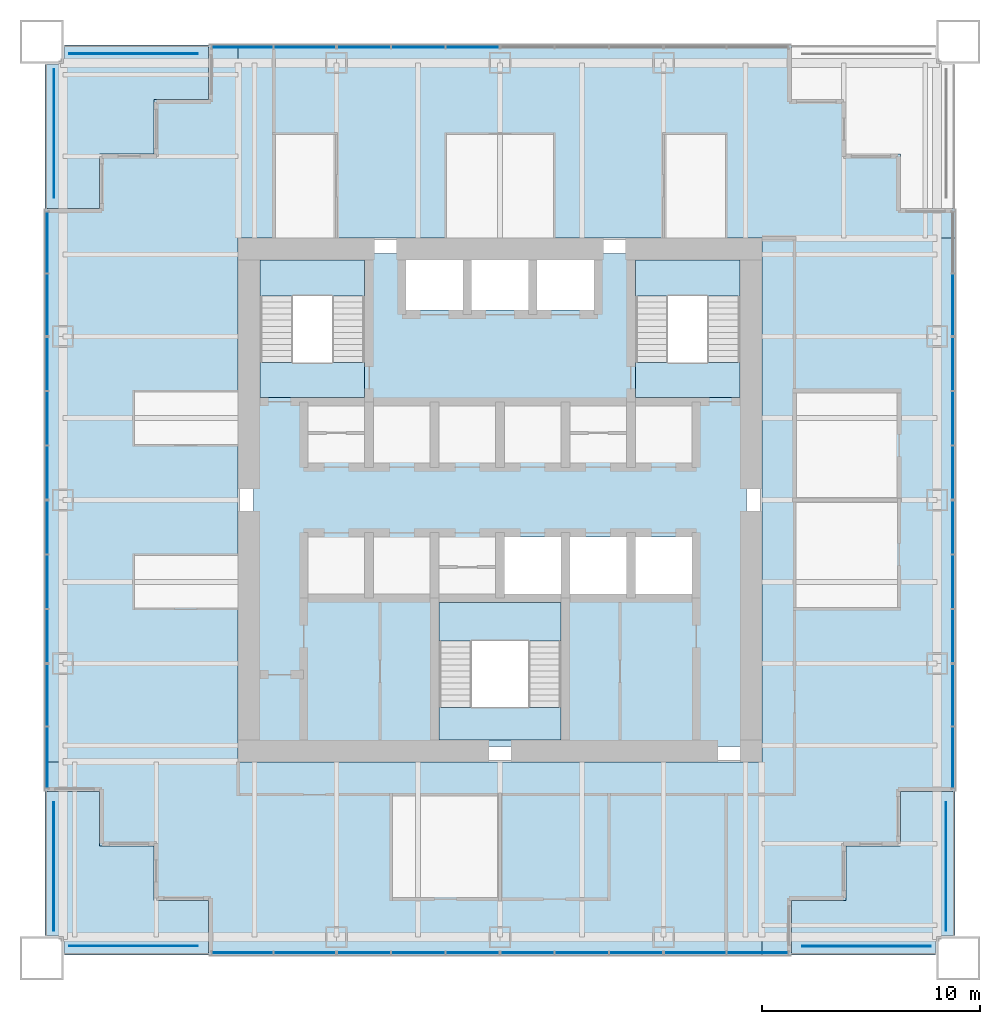
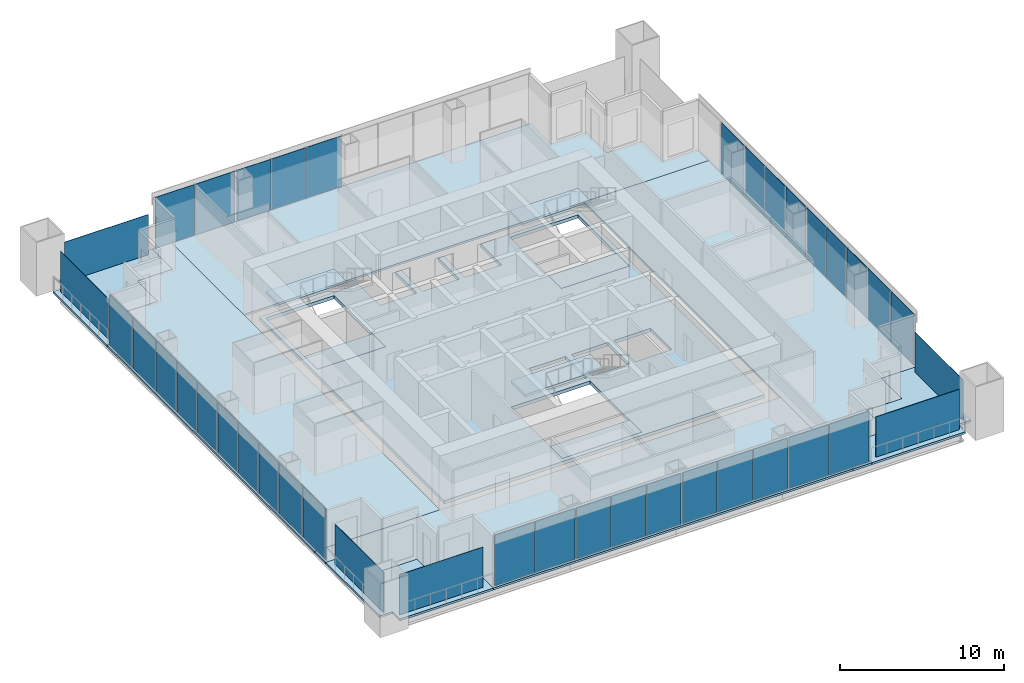
# One storey, part 8 of 14: 40 plates, 14 slabs, 17 elements without a shape of their own.
"""IFC4 building model written with IfcOpenShell, lengths in metres."""

from ifc_helpers import new_model, si_unit, direction, frame, origin, origin_2d, place, context, subcontext, project, spatial, polyline, rectangle, outline, extrude, material, layer, layer_set, type_object, element, aggregate, save


model = new_model("IFC4")

# Units and contexts
model_context = context("Model", 3, precision=1e-05, world=origin(), true_north=direction((0.0, 1.0)))
body_context = subcontext(model_context, "Body", "Model", "MODEL_VIEW")
ifc_project = project(units=[si_unit("LENGTHUNIT", "METRE"), si_unit("AREAUNIT", "SQUARE_METRE"), si_unit("VOLUMEUNIT", "CUBIC_METRE"), si_unit("PLANEANGLEUNIT", "RADIAN"), si_unit("MASSUNIT", "GRAM", prefix="KILO")], contexts=[model_context])

# Site, building, storey
site_placement = place(None, origin())
site = spatial("IfcSite", under=ifc_project, at=site_placement, CompositionType="ELEMENT")
building_placement = place(site_placement, origin())
building = spatial("IfcBuilding", under=site, at=building_placement, Name="Tarangal Relay Tower", CompositionType="ELEMENT")
storey_placement = place(building_placement, frame((0.0, 0.0, 291.89990234375)))
storey = spatial("IfcBuildingStorey", under=building, at=storey_placement, Name="L64", CompositionType="ELEMENT", Elevation=291.89990234375)

# Slabs
ifc_material_1 = material(Name="Concrete fc' 35 MPa", Category="concrete")
ifc_layer_1 = layer(ifc_material_1, 0.25)
ifc_layer_set_1 = layer_set([ifc_layer_1], Name="Core floor slab 250")
slab_type_1 = type_object("IfcSlabType", Name="Core floor slab 250", PredefinedType="FLOOR", material=ifc_layer_set_1)
slab_1_placement = place(storey_placement, frame((0.0, 0.0, -0.25)))
element("IfcSlab", 1, at=slab_1_placement, inside=storey, type_object=slab_type_1, Name="Core floor slab L64", PredefinedType="FLOOR", context=body_context, shape_type="SweptSolid", body=[
    extrude(outline(polyline([(11.300048828125, 11.300048828125), (11.300048828125, -11.300048828125), (-11.300048828125, -11.300048828125), (-11.300048828125, 11.300048828125), (-4.300048828125, 11.300048828125), (-4.300048828125, 8.699951171875), (-1.699951171875, 8.699951171875), (-1.699951171875, 11.300048828125), (-1.300048828125, 11.300048828125), (-1.300048828125, 8.699951171875), (1.300048828125, 8.699951171875), (1.300048828125, 11.300048828125), (1.699951171875, 11.300048828125), (1.699951171875, 8.699951171875), (4.300048828125, 8.699951171875), (4.300048828125, 11.300048828125), (11.300048828125, 11.300048828125)]), holes=[polyline([(2.800048828125, -4.699951171875), (-2.800048828125, -4.699951171875), (-2.800048828125, -11.0), (2.800048828125, -11.0), (2.800048828125, -4.699951171875)]), polyline([(2.800048828125, -1.699951171875), (0.199951171875, -1.699951171875), (0.199951171875, -4.300048828125), (2.800048828125, -4.300048828125), (2.800048828125, -1.699951171875)]), polyline([(5.800048828125, -1.699951171875), (3.199951171875, -1.699951171875), (3.199951171875, -4.300048828125), (5.800048828125, -4.300048828125), (5.800048828125, -1.699951171875)]), polyline([(8.800048828125, -1.699951171875), (6.199951171875, -1.699951171875), (6.199951171875, -4.300048828125), (8.800048828125, -4.300048828125), (8.800048828125, -1.699951171875)]), polyline([(-6.199951171875, 11.0), (-11.0, 11.0), (-11.0, 4.699951171875), (-6.199951171875, 4.699951171875), (-6.199951171875, 11.0)]), polyline([(11.0, 11.0), (6.199951171875, 11.0), (6.199951171875, 4.699951171875), (11.0, 4.699951171875), (11.0, 11.0)])]), origin(), (0.0, 0.0, 1.0), 0.25),
])
ifc_layer_2 = layer(ifc_material_1, 0.14990234375)
ifc_layer_set_2 = layer_set([ifc_layer_2], Name="Floor slab 150")
slab_type_2 = type_object("IfcSlabType", Name="Floor slab 150", PredefinedType="FLOOR", material=ifc_layer_set_2)
slab_2_placement = place(storey_placement, frame((0.0, 0.0, -0.14990234375)))
element("IfcSlab", 2, at=slab_2_placement, inside=storey, type_object=slab_type_2, Name="Floor slab FS3 L64 north bay", PredefinedType="FLOOR", context=body_context, shape_type="SweptSolid", body=[
    extrude(outline(polyline([(13.35009765625, 20.85009765625), (13.35009765625, 18.35009765625), (15.85009765625, 18.35009765625), (15.85009765625, 15.85009765625), (18.35009765625, 15.85009765625), (18.35009765625, 13.35009765625), (20.85009765625, 13.35009765625), (20.85009765625, 12.0), (-12.0, 12.0), (-12.0, 20.85009765625), (13.35009765625, 20.85009765625)])), origin(), (0.0, 0.0, 1.0), 0.14990234375),
])
slab_3_placement = place(storey_placement, frame((0.0, 0.0, -0.14990234375)))
element("IfcSlab", 3, at=slab_3_placement, inside=storey, type_object=slab_type_2, Name="Floor slab FS3 L64 east bay", PredefinedType="FLOOR", context=body_context, shape_type="SweptSolid", body=[
    extrude(outline(polyline([(20.85009765625, -13.35009765625), (18.35009765625, -13.35009765625), (18.35009765625, -15.85009765625), (15.85009765625, -15.85009765625), (15.85009765625, -18.35009765625), (13.35009765625, -18.35009765625), (13.35009765625, -20.85009765625), (12.0, -20.85009765625), (12.0, 12.0), (20.85009765625, 12.0), (20.85009765625, -13.35009765625)])), origin(), (0.0, 0.0, 1.0), 0.14990234375),
])
slab_4_placement = place(storey_placement, frame((0.0, 0.0, -0.14990234375)))
element("IfcSlab", 4, at=slab_4_placement, inside=storey, type_object=slab_type_2, Name="Floor slab FS3 L64 south bay", PredefinedType="FLOOR", context=body_context, shape_type="SweptSolid", body=[
    extrude(outline(polyline([(-13.35009765625, -20.85009765625), (-13.35009765625, -18.35009765625), (-15.85009765625, -18.35009765625), (-15.85009765625, -15.85009765625), (-18.35009765625, -15.85009765625), (-18.35009765625, -13.35009765625), (-20.85009765625, -13.35009765625), (-20.85009765625, -12.0), (12.0, -12.0), (12.0, -20.85009765625), (-13.35009765625, -20.85009765625)])), origin(), (0.0, 0.0, 1.0), 0.14990234375),
])
slab_5_placement = place(storey_placement, frame((0.0, 0.0, -0.14990234375)))
element("IfcSlab", 5, at=slab_5_placement, inside=storey, type_object=slab_type_2, Name="Floor slab FS3 L64 west bay", PredefinedType="FLOOR", context=body_context, shape_type="SweptSolid", body=[
    extrude(outline(polyline([(-12.0, 20.85009765625), (-12.0, -12.0), (-20.85009765625, -12.0), (-20.85009765625, 13.35009765625), (-18.35009765625, 13.35009765625), (-18.35009765625, 15.85009765625), (-15.85009765625, 15.85009765625), (-15.85009765625, 18.35009765625), (-13.35009765625, 18.35009765625), (-13.35009765625, 20.85009765625), (-12.0, 20.85009765625)])), origin(), (0.0, 0.0, 1.0), 0.14990234375),
])

# Curtain wall, plates
ifc_material_2 = material(Name="Unitised curtain wall, dark glass and black aluminium", Category="aluminium")
curtain_wall_type = type_object("IfcCurtainWallType", Name="Curtain wall CW-B", PredefinedType="USERDEFINED", material=ifc_material_2)
curtain_wall_1_placement = place(storey_placement, origin())
curtain_wall_1 = element("IfcCurtainWall", 6, at=curtain_wall_1_placement, inside=storey, type_object=curtain_wall_type, Name="Curtain wall CW-B N facade L64", ObjectType="UNITISED CURTAIN WALL", PredefinedType="USERDEFINED")
ifc_material_3 = material(Name="Dark tinted insulated glass unit", Category="glass")
ifc_layer_3 = layer(ifc_material_3, 0.030029296875)
ifc_layer_set_3 = layer_set([ifc_layer_3], Name="Glazed panel CW-B 30")
plate_type_1 = type_object("IfcPlateType", Name="Glazed panel CW-B 30", PredefinedType="CURTAIN_PANEL", material=ifc_layer_set_3)
plate_1_placement = place(storey_placement, frame((-11.797607421875, 20.75, 0.06005859375), z_axis=(0.0, 0.0, 1.0), x_axis=(1.0, 0.0, 0.0)))
plate_1 = element("IfcPlate", 7, at=plate_1_placement, type_object=plate_type_1, Name="CW-B panel 1.1", PredefinedType="CURTAIN_PANEL", context=body_context, shape_type="SweptSolid", body=[
    extrude(rectangle(XDim=2.784912109375, YDim=0.030029296875, at=origin_2d()), origin(), (0.0, 0.0, 1.0), 3.7900390625),
])
plate_2_placement = place(storey_placement, frame((-8.952392578125, 20.75, 0.06005859375), z_axis=(0.0, 0.0, 1.0), x_axis=(1.0, 0.0, 0.0)))
plate_2 = element("IfcPlate", 8, at=plate_2_placement, type_object=plate_type_1, Name="CW-B panel 2.1", PredefinedType="CURTAIN_PANEL", context=body_context, shape_type="SweptSolid", body=[
    extrude(rectangle(XDim=2.784912109375, YDim=0.030029296875, at=origin_2d()), origin(), (0.0, 0.0, 1.0), 3.7900390625),
])
aggregate(curtain_wall_1, [plate_1, plate_2])

curtain_wall_2_placement = place(storey_placement, origin())
curtain_wall_2 = element("IfcCurtainWall", 9, at=curtain_wall_2_placement, inside=storey, type_object=curtain_wall_type, Name="Curtain wall CW-B N facade L64", ObjectType="UNITISED CURTAIN WALL", PredefinedType="USERDEFINED")
plate_3_placement = place(storey_placement, frame((-6.235107421875, 20.75, 0.06005859375), z_axis=(0.0, 0.0, 1.0), x_axis=(1.0, 0.0, 0.0)))
plate_3 = element("IfcPlate", 10, at=plate_3_placement, type_object=plate_type_1, Name="CW-B panel 1.1", PredefinedType="CURTAIN_PANEL", context=body_context, shape_type="SweptSolid", body=[
    extrude(rectangle(XDim=2.409912109375, YDim=0.030029296875, at=origin_2d()), origin(), (0.0, 0.0, 1.0), 3.7900390625),
])
plate_4_placement = place(storey_placement, frame((-3.75, 20.75, 0.06005859375), z_axis=(0.0, 0.0, 1.0), x_axis=(1.0, 0.0, 0.0)))
plate_4 = element("IfcPlate", 11, at=plate_4_placement, type_object=plate_type_1, Name="CW-B panel 2.1", PredefinedType="CURTAIN_PANEL", context=body_context, shape_type="SweptSolid", body=[
    extrude(rectangle(XDim=2.43994140625, YDim=0.030029296875, at=origin_2d()), origin(), (0.0, 0.0, 1.0), 3.7900390625),
])
plate_5_placement = place(storey_placement, frame((-1.264892578125, 20.75, 0.06005859375), z_axis=(0.0, 0.0, 1.0), x_axis=(1.0, 0.0, 0.0)))
plate_5 = element("IfcPlate", 12, at=plate_5_placement, type_object=plate_type_1, Name="CW-B panel 3.1", PredefinedType="CURTAIN_PANEL", context=body_context, shape_type="SweptSolid", body=[
    extrude(rectangle(XDim=2.409912109375, YDim=0.030029296875, at=origin_2d()), origin(), (0.0, 0.0, 1.0), 3.7900390625),
])
aggregate(curtain_wall_2, [plate_3, plate_4, plate_5])

# Curtain wall, plate
curtain_wall_3_placement = place(storey_placement, origin())
curtain_wall_3 = element("IfcCurtainWall", 13, at=curtain_wall_3_placement, inside=storey, type_object=curtain_wall_type, Name="Curtain wall CW-B E facade L64", ObjectType="UNITISED CURTAIN WALL", PredefinedType="USERDEFINED")
plate_6_placement = place(storey_placement, frame((20.75, 8.952392578125, 0.06005859375), z_axis=(0.0, 0.0, 1.0), x_axis=(0.0, -1.0, 0.0)))
plate_6 = element("IfcPlate", 14, at=plate_6_placement, type_object=plate_type_1, Name="CW-B panel 2.1", PredefinedType="CURTAIN_PANEL", context=body_context, shape_type="SweptSolid", body=[
    extrude(rectangle(XDim=2.784912109375, YDim=0.030029296875, at=origin_2d()), origin(), (0.0, 0.0, 1.0), 3.7900390625),
])
aggregate(curtain_wall_3, [plate_6])

# Curtain wall, plates
curtain_wall_4_placement = place(storey_placement, origin())
curtain_wall_4 = element("IfcCurtainWall", 15, at=curtain_wall_4_placement, inside=storey, type_object=curtain_wall_type, Name="Curtain wall CW-B E facade L64", ObjectType="UNITISED CURTAIN WALL", PredefinedType="USERDEFINED")
plate_7_placement = place(storey_placement, frame((20.75, 6.235107421875, 0.06005859375), z_axis=(0.0, 0.0, 1.0), x_axis=(0.0, -1.0, 0.0)))
plate_7 = element("IfcPlate", 16, at=plate_7_placement, type_object=plate_type_1, Name="CW-B panel 1.1", PredefinedType="CURTAIN_PANEL", context=body_context, shape_type="SweptSolid", body=[
    extrude(rectangle(XDim=2.409912109375, YDim=0.030029296875, at=origin_2d()), origin(), (0.0, 0.0, 1.0), 3.7900390625),
])
plate_8_placement = place(storey_placement, frame((20.75, 3.75, 0.06005859375), z_axis=(0.0, 0.0, 1.0), x_axis=(0.0, -1.0, 0.0)))
plate_8 = element("IfcPlate", 17, at=plate_8_placement, type_object=plate_type_1, Name="CW-B panel 2.1", PredefinedType="CURTAIN_PANEL", context=body_context, shape_type="SweptSolid", body=[
    extrude(rectangle(XDim=2.43994140625, YDim=0.030029296875, at=origin_2d()), origin(), (0.0, 0.0, 1.0), 3.7900390625),
])
plate_9_placement = place(storey_placement, frame((20.75, 1.264892578125, 0.06005859375), z_axis=(0.0, 0.0, 1.0), x_axis=(0.0, -1.0, 0.0)))
plate_9 = element("IfcPlate", 18, at=plate_9_placement, type_object=plate_type_1, Name="CW-B panel 3.1", PredefinedType="CURTAIN_PANEL", context=body_context, shape_type="SweptSolid", body=[
    extrude(rectangle(XDim=2.409912109375, YDim=0.030029296875, at=origin_2d()), origin(), (0.0, 0.0, 1.0), 3.7900390625),
])
aggregate(curtain_wall_4, [plate_7, plate_8, plate_9])

curtain_wall_5_placement = place(storey_placement, origin())
curtain_wall_5 = element("IfcCurtainWall", 19, at=curtain_wall_5_placement, inside=storey, type_object=curtain_wall_type, Name="Curtain wall CW-B E facade L64", ObjectType="UNITISED CURTAIN WALL", PredefinedType="USERDEFINED")
plate_10_placement = place(storey_placement, frame((20.75, -1.264892578125, 0.06005859375), z_axis=(0.0, 0.0, 1.0), x_axis=(0.0, -1.0, 0.0)))
plate_10 = element("IfcPlate", 20, at=plate_10_placement, type_object=plate_type_1, Name="CW-B panel 1.1", PredefinedType="CURTAIN_PANEL", context=body_context, shape_type="SweptSolid", body=[
    extrude(rectangle(XDim=2.409912109375, YDim=0.030029296875, at=origin_2d()), origin(), (0.0, 0.0, 1.0), 3.7900390625),
])
plate_11_placement = place(storey_placement, frame((20.75, -3.75, 0.06005859375), z_axis=(0.0, 0.0, 1.0), x_axis=(0.0, -1.0, 0.0)))
plate_11 = element("IfcPlate", 21, at=plate_11_placement, type_object=plate_type_1, Name="CW-B panel 2.1", PredefinedType="CURTAIN_PANEL", context=body_context, shape_type="SweptSolid", body=[
    extrude(rectangle(XDim=2.43994140625, YDim=0.030029296875, at=origin_2d()), origin(), (0.0, 0.0, 1.0), 3.7900390625),
])
plate_12_placement = place(storey_placement, frame((20.75, -6.235107421875, 0.06005859375), z_axis=(0.0, 0.0, 1.0), x_axis=(0.0, -1.0, 0.0)))
plate_12 = element("IfcPlate", 22, at=plate_12_placement, type_object=plate_type_1, Name="CW-B panel 3.1", PredefinedType="CURTAIN_PANEL", context=body_context, shape_type="SweptSolid", body=[
    extrude(rectangle(XDim=2.409912109375, YDim=0.030029296875, at=origin_2d()), origin(), (0.0, 0.0, 1.0), 3.7900390625),
])
aggregate(curtain_wall_5, [plate_10, plate_11, plate_12])

curtain_wall_6_placement = place(storey_placement, origin())
curtain_wall_6 = element("IfcCurtainWall", 23, at=curtain_wall_6_placement, inside=storey, type_object=curtain_wall_type, Name="Curtain wall CW-B E facade L64", ObjectType="UNITISED CURTAIN WALL", PredefinedType="USERDEFINED")
plate_13_placement = place(storey_placement, frame((20.75, -8.952392578125, 0.06005859375), z_axis=(0.0, 0.0, 1.0), x_axis=(0.0, -1.0, 0.0)))
plate_13 = element("IfcPlate", 24, at=plate_13_placement, type_object=plate_type_1, Name="CW-B panel 1.1", PredefinedType="CURTAIN_PANEL", context=body_context, shape_type="SweptSolid", body=[
    extrude(rectangle(XDim=2.784912109375, YDim=0.030029296875, at=origin_2d()), origin(), (0.0, 0.0, 1.0), 3.7900390625),
])
plate_14_placement = place(storey_placement, frame((20.75, -11.797607421875, 0.06005859375), z_axis=(0.0, 0.0, 1.0), x_axis=(0.0, -1.0, 0.0)))
plate_14 = element("IfcPlate", 25, at=plate_14_placement, type_object=plate_type_1, Name="CW-B panel 2.1", PredefinedType="CURTAIN_PANEL", context=body_context, shape_type="SweptSolid", body=[
    extrude(rectangle(XDim=2.784912109375, YDim=0.030029296875, at=origin_2d()), origin(), (0.0, 0.0, 1.0), 3.7900390625),
])
aggregate(curtain_wall_6, [plate_13, plate_14])

curtain_wall_7_placement = place(storey_placement, origin())
curtain_wall_7 = element("IfcCurtainWall", 26, at=curtain_wall_7_placement, inside=storey, type_object=curtain_wall_type, Name="Curtain wall CW-B S facade L64", ObjectType="UNITISED CURTAIN WALL", PredefinedType="USERDEFINED")
plate_15_placement = place(storey_placement, frame((11.797607421875, -20.75, 0.06005859375), z_axis=(0.0, 0.0, 1.0), x_axis=(-1.0, 0.0, 0.0)))
plate_15 = element("IfcPlate", 27, at=plate_15_placement, type_object=plate_type_1, Name="CW-B panel 1.1", PredefinedType="CURTAIN_PANEL", context=body_context, shape_type="SweptSolid", body=[
    extrude(rectangle(XDim=2.784912109375, YDim=0.030029296875, at=origin_2d()), origin(), (0.0, 0.0, 1.0), 3.7900390625),
])
plate_16_placement = place(storey_placement, frame((8.952392578125, -20.75, 0.06005859375), z_axis=(0.0, 0.0, 1.0), x_axis=(-1.0, 0.0, 0.0)))
plate_16 = element("IfcPlate", 28, at=plate_16_placement, type_object=plate_type_1, Name="CW-B panel 2.1", PredefinedType="CURTAIN_PANEL", context=body_context, shape_type="SweptSolid", body=[
    extrude(rectangle(XDim=2.784912109375, YDim=0.030029296875, at=origin_2d()), origin(), (0.0, 0.0, 1.0), 3.7900390625),
])
aggregate(curtain_wall_7, [plate_15, plate_16])

curtain_wall_8_placement = place(storey_placement, origin())
curtain_wall_8 = element("IfcCurtainWall", 29, at=curtain_wall_8_placement, inside=storey, type_object=curtain_wall_type, Name="Curtain wall CW-B S facade L64", ObjectType="UNITISED CURTAIN WALL", PredefinedType="USERDEFINED")
plate_17_placement = place(storey_placement, frame((6.235107421875, -20.75, 0.06005859375), z_axis=(0.0, 0.0, 1.0), x_axis=(-1.0, 0.0, 0.0)))
plate_17 = element("IfcPlate", 30, at=plate_17_placement, type_object=plate_type_1, Name="CW-B panel 1.1", PredefinedType="CURTAIN_PANEL", context=body_context, shape_type="SweptSolid", body=[
    extrude(rectangle(XDim=2.409912109375, YDim=0.030029296875, at=origin_2d()), origin(), (0.0, 0.0, 1.0), 3.7900390625),
])
plate_18_placement = place(storey_placement, frame((3.75, -20.75, 0.06005859375), z_axis=(0.0, 0.0, 1.0), x_axis=(-1.0, 0.0, 0.0)))
plate_18 = element("IfcPlate", 31, at=plate_18_placement, type_object=plate_type_1, Name="CW-B panel 2.1", PredefinedType="CURTAIN_PANEL", context=body_context, shape_type="SweptSolid", body=[
    extrude(rectangle(XDim=2.43994140625, YDim=0.030029296875, at=origin_2d()), origin(), (0.0, 0.0, 1.0), 3.7900390625),
])
plate_19_placement = place(storey_placement, frame((1.264892578125, -20.75, 0.06005859375), z_axis=(0.0, 0.0, 1.0), x_axis=(-1.0, 0.0, 0.0)))
plate_19 = element("IfcPlate", 32, at=plate_19_placement, type_object=plate_type_1, Name="CW-B panel 3.1", PredefinedType="CURTAIN_PANEL", context=body_context, shape_type="SweptSolid", body=[
    extrude(rectangle(XDim=2.409912109375, YDim=0.030029296875, at=origin_2d()), origin(), (0.0, 0.0, 1.0), 3.7900390625),
])
aggregate(curtain_wall_8, [plate_17, plate_18, plate_19])

curtain_wall_9_placement = place(storey_placement, origin())
curtain_wall_9 = element("IfcCurtainWall", 33, at=curtain_wall_9_placement, inside=storey, type_object=curtain_wall_type, Name="Curtain wall CW-B S facade L64", ObjectType="UNITISED CURTAIN WALL", PredefinedType="USERDEFINED")
plate_20_placement = place(storey_placement, frame((-1.264892578125, -20.75, 0.06005859375), z_axis=(0.0, 0.0, 1.0), x_axis=(-1.0, 0.0, 0.0)))
plate_20 = element("IfcPlate", 34, at=plate_20_placement, type_object=plate_type_1, Name="CW-B panel 1.1", PredefinedType="CURTAIN_PANEL", context=body_context, shape_type="SweptSolid", body=[
    extrude(rectangle(XDim=2.409912109375, YDim=0.030029296875, at=origin_2d()), origin(), (0.0, 0.0, 1.0), 3.7900390625),
])
plate_21_placement = place(storey_placement, frame((-3.75, -20.75, 0.06005859375), z_axis=(0.0, 0.0, 1.0), x_axis=(-1.0, 0.0, 0.0)))
plate_21 = element("IfcPlate", 35, at=plate_21_placement, type_object=plate_type_1, Name="CW-B panel 2.1", PredefinedType="CURTAIN_PANEL", context=body_context, shape_type="SweptSolid", body=[
    extrude(rectangle(XDim=2.43994140625, YDim=0.030029296875, at=origin_2d()), origin(), (0.0, 0.0, 1.0), 3.7900390625),
])
plate_22_placement = place(storey_placement, frame((-6.235107421875, -20.75, 0.06005859375), z_axis=(0.0, 0.0, 1.0), x_axis=(-1.0, 0.0, 0.0)))
plate_22 = element("IfcPlate", 36, at=plate_22_placement, type_object=plate_type_1, Name="CW-B panel 3.1", PredefinedType="CURTAIN_PANEL", context=body_context, shape_type="SweptSolid", body=[
    extrude(rectangle(XDim=2.409912109375, YDim=0.030029296875, at=origin_2d()), origin(), (0.0, 0.0, 1.0), 3.7900390625),
])
aggregate(curtain_wall_9, [plate_20, plate_21, plate_22])

curtain_wall_10_placement = place(storey_placement, origin())
curtain_wall_10 = element("IfcCurtainWall", 37, at=curtain_wall_10_placement, inside=storey, type_object=curtain_wall_type, Name="Curtain wall CW-B S facade L64", ObjectType="UNITISED CURTAIN WALL", PredefinedType="USERDEFINED")
plate_23_placement = place(storey_placement, frame((-8.952392578125, -20.75, 0.06005859375), z_axis=(0.0, 0.0, 1.0), x_axis=(-1.0, 0.0, 0.0)))
plate_23 = element("IfcPlate", 38, at=plate_23_placement, type_object=plate_type_1, Name="CW-B panel 1.1", PredefinedType="CURTAIN_PANEL", context=body_context, shape_type="SweptSolid", body=[
    extrude(rectangle(XDim=2.784912109375, YDim=0.030029296875, at=origin_2d()), origin(), (0.0, 0.0, 1.0), 3.7900390625),
])
plate_24_placement = place(storey_placement, frame((-11.797607421875, -20.75, 0.06005859375), z_axis=(0.0, 0.0, 1.0), x_axis=(-1.0, 0.0, 0.0)))
plate_24 = element("IfcPlate", 39, at=plate_24_placement, type_object=plate_type_1, Name="CW-B panel 2.1", PredefinedType="CURTAIN_PANEL", context=body_context, shape_type="SweptSolid", body=[
    extrude(rectangle(XDim=2.784912109375, YDim=0.030029296875, at=origin_2d()), origin(), (0.0, 0.0, 1.0), 3.7900390625),
])
aggregate(curtain_wall_10, [plate_23, plate_24])

curtain_wall_11_placement = place(storey_placement, origin())
curtain_wall_11 = element("IfcCurtainWall", 40, at=curtain_wall_11_placement, inside=storey, type_object=curtain_wall_type, Name="Curtain wall CW-B W facade L64", ObjectType="UNITISED CURTAIN WALL", PredefinedType="USERDEFINED")
plate_25_placement = place(storey_placement, frame((-20.75, -11.797607421875, 0.06005859375), z_axis=(0.0, 0.0, 1.0), x_axis=(0.0, 1.0, 0.0)))
plate_25 = element("IfcPlate", 41, at=plate_25_placement, type_object=plate_type_1, Name="CW-B panel 1.1", PredefinedType="CURTAIN_PANEL", context=body_context, shape_type="SweptSolid", body=[
    extrude(rectangle(XDim=2.784912109375, YDim=0.030029296875, at=origin_2d()), origin(), (0.0, 0.0, 1.0), 3.7900390625),
])
plate_26_placement = place(storey_placement, frame((-20.75, -8.952392578125, 0.06005859375), z_axis=(0.0, 0.0, 1.0), x_axis=(0.0, 1.0, 0.0)))
plate_26 = element("IfcPlate", 42, at=plate_26_placement, type_object=plate_type_1, Name="CW-B panel 2.1", PredefinedType="CURTAIN_PANEL", context=body_context, shape_type="SweptSolid", body=[
    extrude(rectangle(XDim=2.784912109375, YDim=0.030029296875, at=origin_2d()), origin(), (0.0, 0.0, 1.0), 3.7900390625),
])
aggregate(curtain_wall_11, [plate_25, plate_26])

curtain_wall_12_placement = place(storey_placement, origin())
curtain_wall_12 = element("IfcCurtainWall", 43, at=curtain_wall_12_placement, inside=storey, type_object=curtain_wall_type, Name="Curtain wall CW-B W facade L64", ObjectType="UNITISED CURTAIN WALL", PredefinedType="USERDEFINED")
plate_27_placement = place(storey_placement, frame((-20.75, -6.235107421875, 0.06005859375), z_axis=(0.0, 0.0, 1.0), x_axis=(0.0, 1.0, 0.0)))
plate_27 = element("IfcPlate", 44, at=plate_27_placement, type_object=plate_type_1, Name="CW-B panel 1.1", PredefinedType="CURTAIN_PANEL", context=body_context, shape_type="SweptSolid", body=[
    extrude(rectangle(XDim=2.409912109375, YDim=0.030029296875, at=origin_2d()), origin(), (0.0, 0.0, 1.0), 3.7900390625),
])
plate_28_placement = place(storey_placement, frame((-20.75, -3.75, 0.06005859375), z_axis=(0.0, 0.0, 1.0), x_axis=(0.0, 1.0, 0.0)))
plate_28 = element("IfcPlate", 45, at=plate_28_placement, type_object=plate_type_1, Name="CW-B panel 2.1", PredefinedType="CURTAIN_PANEL", context=body_context, shape_type="SweptSolid", body=[
    extrude(rectangle(XDim=2.43994140625, YDim=0.030029296875, at=origin_2d()), origin(), (0.0, 0.0, 1.0), 3.7900390625),
])
plate_29_placement = place(storey_placement, frame((-20.75, -1.264892578125, 0.06005859375), z_axis=(0.0, 0.0, 1.0), x_axis=(0.0, 1.0, 0.0)))
plate_29 = element("IfcPlate", 46, at=plate_29_placement, type_object=plate_type_1, Name="CW-B panel 3.1", PredefinedType="CURTAIN_PANEL", context=body_context, shape_type="SweptSolid", body=[
    extrude(rectangle(XDim=2.409912109375, YDim=0.030029296875, at=origin_2d()), origin(), (0.0, 0.0, 1.0), 3.7900390625),
])
aggregate(curtain_wall_12, [plate_27, plate_28, plate_29])

curtain_wall_13_placement = place(storey_placement, origin())
curtain_wall_13 = element("IfcCurtainWall", 47, at=curtain_wall_13_placement, inside=storey, type_object=curtain_wall_type, Name="Curtain wall CW-B W facade L64", ObjectType="UNITISED CURTAIN WALL", PredefinedType="USERDEFINED")
plate_30_placement = place(storey_placement, frame((-20.75, 1.264892578125, 0.06005859375), z_axis=(0.0, 0.0, 1.0), x_axis=(0.0, 1.0, 0.0)))
plate_30 = element("IfcPlate", 48, at=plate_30_placement, type_object=plate_type_1, Name="CW-B panel 1.1", PredefinedType="CURTAIN_PANEL", context=body_context, shape_type="SweptSolid", body=[
    extrude(rectangle(XDim=2.409912109375, YDim=0.030029296875, at=origin_2d()), origin(), (0.0, 0.0, 1.0), 3.7900390625),
])
plate_31_placement = place(storey_placement, frame((-20.75, 3.75, 0.06005859375), z_axis=(0.0, 0.0, 1.0), x_axis=(0.0, 1.0, 0.0)))
plate_31 = element("IfcPlate", 49, at=plate_31_placement, type_object=plate_type_1, Name="CW-B panel 2.1", PredefinedType="CURTAIN_PANEL", context=body_context, shape_type="SweptSolid", body=[
    extrude(rectangle(XDim=2.43994140625, YDim=0.030029296875, at=origin_2d()), origin(), (0.0, 0.0, 1.0), 3.7900390625),
])
plate_32_placement = place(storey_placement, frame((-20.75, 6.235107421875, 0.06005859375), z_axis=(0.0, 0.0, 1.0), x_axis=(0.0, 1.0, 0.0)))
plate_32 = element("IfcPlate", 50, at=plate_32_placement, type_object=plate_type_1, Name="CW-B panel 3.1", PredefinedType="CURTAIN_PANEL", context=body_context, shape_type="SweptSolid", body=[
    extrude(rectangle(XDim=2.409912109375, YDim=0.030029296875, at=origin_2d()), origin(), (0.0, 0.0, 1.0), 3.7900390625),
])
aggregate(curtain_wall_13, [plate_30, plate_31, plate_32])

curtain_wall_14_placement = place(storey_placement, origin())
curtain_wall_14 = element("IfcCurtainWall", 51, at=curtain_wall_14_placement, inside=storey, type_object=curtain_wall_type, Name="Curtain wall CW-B W facade L64", ObjectType="UNITISED CURTAIN WALL", PredefinedType="USERDEFINED")
plate_33_placement = place(storey_placement, frame((-20.75, 8.952392578125, 0.06005859375), z_axis=(0.0, 0.0, 1.0), x_axis=(0.0, 1.0, 0.0)))
plate_33 = element("IfcPlate", 52, at=plate_33_placement, type_object=plate_type_1, Name="CW-B panel 1.1", PredefinedType="CURTAIN_PANEL", context=body_context, shape_type="SweptSolid", body=[
    extrude(rectangle(XDim=2.784912109375, YDim=0.030029296875, at=origin_2d()), origin(), (0.0, 0.0, 1.0), 3.7900390625),
])
plate_34_placement = place(storey_placement, frame((-20.75, 11.797607421875, 0.06005859375), z_axis=(0.0, 0.0, 1.0), x_axis=(0.0, 1.0, 0.0)))
plate_34 = element("IfcPlate", 53, at=plate_34_placement, type_object=plate_type_1, Name="CW-B panel 2.1", PredefinedType="CURTAIN_PANEL", context=body_context, shape_type="SweptSolid", body=[
    extrude(rectangle(XDim=2.784912109375, YDim=0.030029296875, at=origin_2d()), origin(), (0.0, 0.0, 1.0), 3.7900390625),
])
aggregate(curtain_wall_14, [plate_33, plate_34])

# Plates
ifc_material_4 = material(Name="Black stainless steel cable trellis with climbing planting", Category="steel")
ifc_layer_4 = layer(ifc_material_4, 0.030029296875)
ifc_layer_set_4 = layer_set([ifc_layer_4], Name="Planted trellis screen")
plate_type_2 = type_object("IfcPlateType", Name="Planted trellis screen", PredefinedType="SHEET", material=ifc_layer_set_4)
for number, where, z_axis, x_axis, name in (
    (54, (16.800048828125, -20.449951171875, 0.0), (0.0, 0.0, 1.0), (-1.0, 0.0, 0.0), "Planted trellis SC2 SE L64"),
    (55, (-20.449951171875, -16.800048828125, 0.0), (0.0, 0.0, 1.0), (0.0, 1.0, 0.0), "Planted trellis SC2 SW L64"),
    (56, (-16.800048828125, 20.449951171875, 0.0), (0.0, 0.0, 1.0), (1.0, 0.0, 0.0), "Planted trellis SC2 NW L64"),
):
    element("IfcPlate", number, at=place(storey_placement, frame(where, z_axis=z_axis, x_axis=x_axis)), inside=storey, type_object=plate_type_2, Name=name, PredefinedType="SHEET", context=body_context, shape_type="SweptSolid", body=[
        extrude(rectangle(XDim=5.89990234375, YDim=0.030029296875, at=origin_2d()), origin(), (0.0, 0.0, 1.0), 3.0),
    ])

# Stair, slabs
ifc_material_5 = material(Name="Steel ASTM A992 stair flight", Category="steel")
stair_type = type_object("IfcStairType", Name="Core stair 1500", PredefinedType="HALF_TURN_STAIR", material=ifc_material_5)
stair_1_placement = place(storey_placement, origin())
stair_1 = element("IfcStair", 57, at=stair_1_placement, inside=storey, type_object=stair_type, Name="Stair ST-A L64", PredefinedType="HALF_TURN_STAIR")
ifc_layer_5 = layer(ifc_material_1, 0.199951171875)
ifc_layer_set_5 = layer_set([ifc_layer_5], Name="Stair landing 200")
slab_type_3 = type_object("IfcSlabType", Name="Stair landing 200", PredefinedType="LANDING", material=ifc_layer_set_5)
slab_6_placement = place(storey_placement, frame((0.0, 0.0, -0.199951171875)))
slab_6 = element("IfcSlab", 58, at=slab_6_placement, type_object=slab_type_3, Name="ST-A landing 1", PredefinedType="LANDING", context=body_context, shape_type="SweptSolid", body=[
    extrude(outline(polyline([(-11.0, 4.699951171875), (-6.199951171875, 4.699951171875), (-6.199951171875, 6.300048828125), (-11.0, 6.300048828125), (-11.0, 4.699951171875)])), origin(), (0.0, 0.0, 1.0), 0.199951171875),
])
slab_7_placement = place(storey_placement, frame((0.0, 0.0, 1.800048828125)))
slab_7 = element("IfcSlab", 59, at=slab_7_placement, type_object=slab_type_3, Name="ST-A landing 2", PredefinedType="LANDING", context=body_context, shape_type="SweptSolid", body=[
    extrude(outline(polyline([(-11.0, 9.346923828125), (-6.199951171875, 9.346923828125), (-6.199951171875, 11.0), (-11.0, 11.0), (-11.0, 9.346923828125)])), origin(), (0.0, 0.0, 1.0), 0.199951171875),
])
aggregate(stair_1, [slab_6, slab_7])

stair_2_placement = place(storey_placement, origin())
stair_2 = element("IfcStair", 60, at=stair_2_placement, inside=storey, type_object=stair_type, Name="Stair ST-B L64", PredefinedType="HALF_TURN_STAIR")
slab_8_placement = place(storey_placement, frame((0.0, 0.0, -0.199951171875)))
slab_8 = element("IfcSlab", 61, at=slab_8_placement, type_object=slab_type_3, Name="ST-B landing 1", PredefinedType="LANDING", context=body_context, shape_type="SweptSolid", body=[
    extrude(outline(polyline([(6.199951171875, 4.699951171875), (11.0, 4.699951171875), (11.0, 6.300048828125), (6.199951171875, 6.300048828125), (6.199951171875, 4.699951171875)])), origin(), (0.0, 0.0, 1.0), 0.199951171875),
])
slab_9_placement = place(storey_placement, frame((0.0, 0.0, 1.800048828125)))
slab_9 = element("IfcSlab", 62, at=slab_9_placement, type_object=slab_type_3, Name="ST-B landing 2", PredefinedType="LANDING", context=body_context, shape_type="SweptSolid", body=[
    extrude(outline(polyline([(6.199951171875, 9.346923828125), (11.0, 9.346923828125), (11.0, 11.0), (6.199951171875, 11.0), (6.199951171875, 9.346923828125)])), origin(), (0.0, 0.0, 1.0), 0.199951171875),
])
aggregate(stair_2, [slab_8, slab_9])

stair_3_placement = place(storey_placement, origin())
stair_3 = element("IfcStair", 63, at=stair_3_placement, inside=storey, type_object=stair_type, Name="Stair ST-C L64", PredefinedType="HALF_TURN_STAIR")
slab_10_placement = place(storey_placement, frame((0.0, 0.0, -0.199951171875)))
slab_10 = element("IfcSlab", 64, at=slab_10_placement, type_object=slab_type_3, Name="ST-C landing 1", PredefinedType="LANDING", context=body_context, shape_type="SweptSolid", body=[
    extrude(outline(polyline([(-2.800048828125, -11.0), (2.800048828125, -11.0), (2.800048828125, -9.5), (-2.800048828125, -9.5), (-2.800048828125, -11.0)])), origin(), (0.0, 0.0, 1.0), 0.199951171875),
])
slab_11_placement = place(storey_placement, frame((0.0, 0.0, 1.800048828125)))
slab_11 = element("IfcSlab", 65, at=slab_11_placement, type_object=slab_type_3, Name="ST-C landing 2", PredefinedType="LANDING", context=body_context, shape_type="SweptSolid", body=[
    extrude(outline(polyline([(-2.800048828125, -6.452880859375), (2.800048828125, -6.452880859375), (2.800048828125, -4.699951171875), (-2.800048828125, -4.699951171875), (-2.800048828125, -6.452880859375)])), origin(), (0.0, 0.0, 1.0), 0.199951171875),
])
aggregate(stair_3, [slab_10, slab_11])

# Plates
ifc_material_6 = material(Name="Perforated black aluminium screen", Category="aluminium")
ifc_layer_6 = layer(ifc_material_6, 0.02001953125)
ifc_layer_set_6 = layer_set([ifc_layer_6], Name="Terrace screen panel")
plate_type_3 = type_object("IfcPlateType", Name="Terrace screen panel", PredefinedType="SHEET", material=ifc_layer_set_6)
for number, where, z_axis, x_axis, name in (
    (66, (20.449951171875, -16.800048828125, 0.0), (0.0, 0.0, 1.0), (0.0, -1.0, 0.0), "Terrace screen SC1 SE L64"),
    (67, (-16.800048828125, -20.449951171875, 0.0), (0.0, 0.0, 1.0), (-1.0, 0.0, 0.0), "Terrace screen SC1 SW L64"),
    (68, (-20.449951171875, 16.800048828125, 0.0), (0.0, 0.0, 1.0), (0.0, 1.0, 0.0), "Terrace screen SC1 NW L64"),
):
    element("IfcPlate", number, at=place(storey_placement, frame(where, z_axis=z_axis, x_axis=x_axis)), inside=storey, type_object=plate_type_3, Name=name, PredefinedType="SHEET", context=body_context, shape_type="SweptSolid", body=[
        extrude(rectangle(XDim=5.89990234375, YDim=0.02001953125, at=origin_2d()), origin(), (0.0, 0.0, 1.0), 3.0),
    ])

# Slabs
ifc_layer_7 = layer(ifc_material_1, 0.14990234375)
ifc_layer_set_7 = layer_set([ifc_layer_7], Name="Terrace slab 150")
slab_type_4 = type_object("IfcSlabType", Name="Terrace slab 150", PredefinedType="FLOOR", material=ifc_layer_set_7)
slab_12_placement = place(storey_placement, frame((0.0, 0.0, -0.14990234375)))
element("IfcSlab", 69, at=slab_12_placement, inside=storey, type_object=slab_type_4, Name="Corner terrace SE L64", PredefinedType="FLOOR", context=body_context, shape_type="SweptSolid", body=[
    extrude(outline(polyline([(20.85009765625, -13.35009765625), (18.35009765625, -13.35009765625), (18.35009765625, -15.85009765625), (15.85009765625, -15.85009765625), (15.85009765625, -18.35009765625), (13.35009765625, -18.35009765625), (13.35009765625, -20.85009765625), (19.949951171875, -20.85009765625), (19.949951171875, -19.949951171875), (20.85009765625, -19.949951171875), (20.85009765625, -13.35009765625)])), origin(), (0.0, 0.0, 1.0), 0.14990234375),
])
slab_13_placement = place(storey_placement, frame((0.0, 0.0, -0.14990234375)))
element("IfcSlab", 70, at=slab_13_placement, inside=storey, type_object=slab_type_4, Name="Corner terrace SW L64", PredefinedType="FLOOR", context=body_context, shape_type="SweptSolid", body=[
    extrude(outline(polyline([(-13.35009765625, -20.85009765625), (-13.35009765625, -18.35009765625), (-15.85009765625, -18.35009765625), (-15.85009765625, -15.85009765625), (-18.35009765625, -15.85009765625), (-18.35009765625, -13.35009765625), (-20.85009765625, -13.35009765625), (-20.85009765625, -19.949951171875), (-19.949951171875, -19.949951171875), (-19.949951171875, -20.85009765625), (-13.35009765625, -20.85009765625)])), origin(), (0.0, 0.0, 1.0), 0.14990234375),
])
slab_14_placement = place(storey_placement, frame((0.0, 0.0, -0.14990234375)))
element("IfcSlab", 71, at=slab_14_placement, inside=storey, type_object=slab_type_4, Name="Corner terrace NW L64", PredefinedType="FLOOR", context=body_context, shape_type="SweptSolid", body=[
    extrude(outline(polyline([(-20.85009765625, 13.35009765625), (-18.35009765625, 13.35009765625), (-18.35009765625, 15.85009765625), (-15.85009765625, 15.85009765625), (-15.85009765625, 18.35009765625), (-13.35009765625, 18.35009765625), (-13.35009765625, 20.85009765625), (-19.949951171875, 20.85009765625), (-19.949951171875, 19.949951171875), (-20.85009765625, 19.949951171875), (-20.85009765625, 13.35009765625)])), origin(), (0.0, 0.0, 1.0), 0.14990234375),
])

save(model, "model.ifc")
